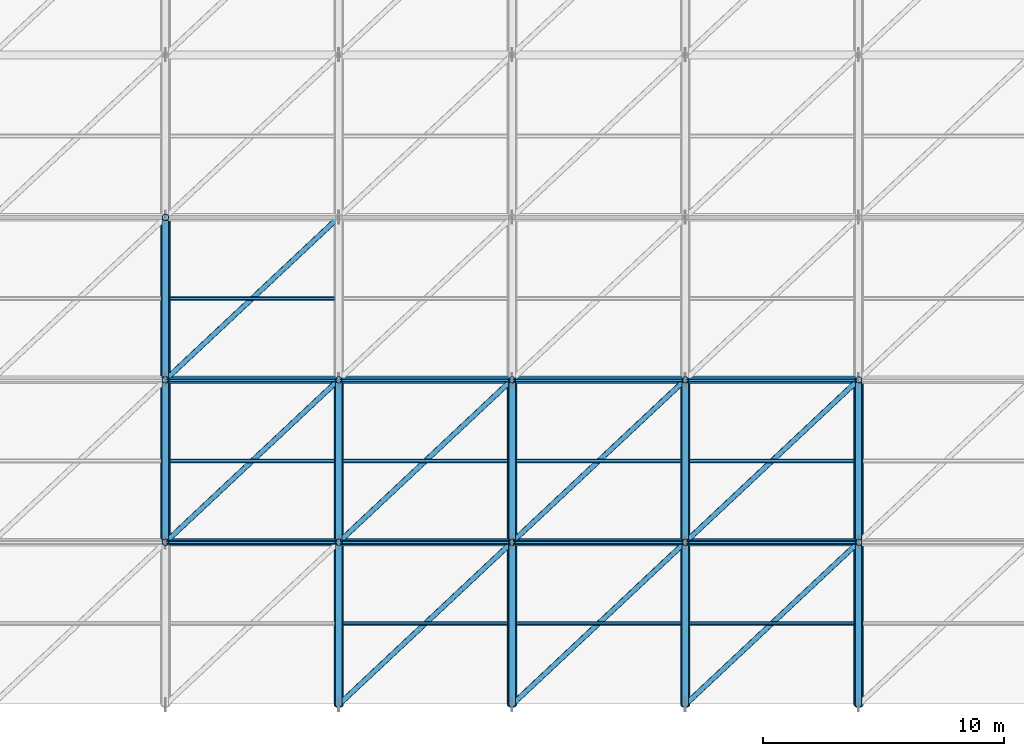
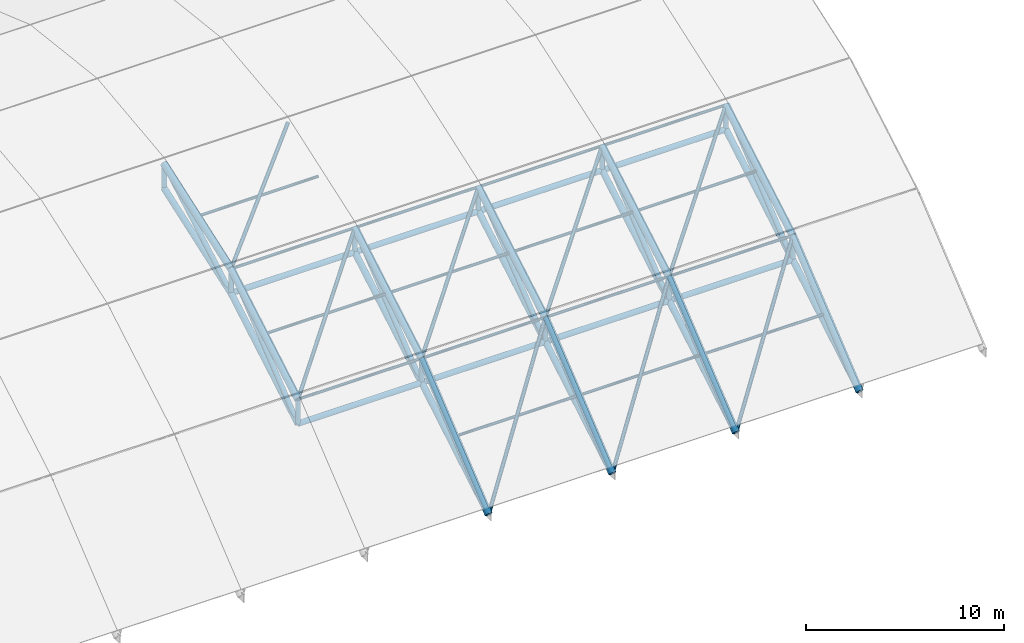
# One storey, part 8 of 72: 63 members, 10 beams.
"""IFC4 building model written with IfcOpenShell, lengths in metres."""

import ifcopenshell
import ifcopenshell.guid

model = None  # the IFC model being written
_history = None  # IfcOwnerHistory: only IFC2X3 demands one
_inside = {}  # id of a spatial element -> (the spatial element, [elements in it])
_under = {}  # id of a project, library or spatial element -> (it, [spatial elements below it])
_declared = {}  # id of a project -> (the project, [libraries it declares])
_typed = {}  # id of a type object -> (the type object, [elements of that type])
_made_of = {}  # id of a material, layer set ... -> (it, [elements and type objects made of it])


def new_model(schema):
    """Start an empty IFC model of exactly this schema.

    Asked for "IFC4X3", IfcOpenShell would pick the latest addendum, in which some entities
    have other attributes; the version numbers below select the first issue.
    IFC2X3 requires an IfcOwnerHistory on every rooted entity: one is made here for all.
    """
    global model, _history
    if schema == "IFC4X3":
        model = ifcopenshell.file(schema_version=(4, 3, 0, 0))
    else:
        model = ifcopenshell.file(schema=schema)
    _inside.clear()
    _under.clear()
    _declared.clear()
    _typed.clear()
    _made_of.clear()
    _history = None
    if model.schema == "IFC2X3":
        org = make("IfcOrganization", Name="unknown")
        user = make(
            "IfcPersonAndOrganization",
            ThePerson=make("IfcPerson", FamilyName="unknown"),
            TheOrganization=org,
        )
        app = make(
            "IfcApplication",
            ApplicationDeveloper=org,
            Version="unknown",
            ApplicationFullName="unknown",
            ApplicationIdentifier="unknown",
        )
        _history = make(
            "IfcOwnerHistory",
            OwningUser=user,
            OwningApplication=app,
            ChangeAction="ADDED",
            CreationDate=0,
        )
    return model


def make(cls, **values):
    """One entity of the class cls with the attributes given. An attribute that is None is left unset."""
    return model.create_entity(
        cls, **{name: value for name, value in values.items() if value is not None}
    )


def rooted(cls, **values):
    """An entity with a GlobalId (a new one), such as an element, a storey or a relation."""
    return make(cls, GlobalId=ifcopenshell.guid.new(), OwnerHistory=_history, **values)


def si_unit(unit_type, name, prefix=None):
    """IfcSIUnit, for example si_unit("LENGTHUNIT", "METRE", prefix="MILLI")."""
    return make("IfcSIUnit", UnitType=unit_type, Prefix=prefix, Name=name)


def assignment(units):
    """IfcUnitAssignment: the units of a project."""
    return None if units is None else make("IfcUnitAssignment", Units=units)


def point(xyz):
    """IfcCartesianPoint."""
    return None if xyz is None else make("IfcCartesianPoint", Coordinates=xyz)


def direction(xyz):
    """IfcDirection."""
    return None if xyz is None else make("IfcDirection", DirectionRatios=xyz)


def frame(location, z_axis=None, x_axis=None):
    """IfcAxis2Placement3D, a coordinate frame: its origin and axes. An axis left out is left unset."""
    return make(
        "IfcAxis2Placement3D",
        Location=point(location),
        Axis=direction(z_axis),
        RefDirection=direction(x_axis),
    )


def frame_2d(location, x_axis=None):
    """IfcAxis2Placement2D, a coordinate frame in the plane: its origin and x axis."""
    return make(
        "IfcAxis2Placement2D", Location=point(location), RefDirection=direction(x_axis)
    )


def origin():
    """The frame at (0, 0, 0) with its axes left unset."""
    return frame((0.0, 0.0, 0.0))


def origin_2d():
    """The frame at (0, 0) in the plane with its x axis left unset."""
    return frame_2d((0.0, 0.0))


def place(relative_to, where):
    """IfcLocalPlacement: puts the frame where relative to a parent placement (None: the world)."""
    return make(
        "IfcLocalPlacement", PlacementRelTo=relative_to, RelativePlacement=where
    )


def context(
    kind, dimensions, precision=None, world=None, true_north=None, identifier=None
):
    """IfcGeometricRepresentationContext, for example the 3D "Model" context."""
    return make(
        "IfcGeometricRepresentationContext",
        ContextIdentifier=identifier,
        ContextType=kind,
        CoordinateSpaceDimension=dimensions,
        Precision=precision,
        WorldCoordinateSystem=world,
        TrueNorth=true_north,
    )


def subcontext(parent, identifier, kind, view, scale=None):
    """IfcGeometricRepresentationSubContext, for example "Body" below "Model"."""
    return make(
        "IfcGeometricRepresentationSubContext",
        ContextIdentifier=identifier,
        ContextType=kind,
        ParentContext=parent,
        TargetScale=scale,
        TargetView=view,
    )


def project(units=None, contexts=None):
    """IfcProject with its units and contexts."""
    return rooted(
        "IfcProject",
        Name="project",
        RepresentationContexts=contexts,
        UnitsInContext=assignment(units),
    )


def spatial(cls, under=None, at=None, **own):
    """A site, building, storey or space (cls), placed at a placement, below another one or the project."""
    s = rooted(cls, ObjectPlacement=at, **own)
    if under is not None:
        _under.setdefault(under.id(), (under, []))[1].append(s)
    return s


def profile(cls, at=None, kind="AREA", **sizes):
    """A parametric profile (cls). Its sizes go by their IFC names, for example OverallWidth=200.0."""
    return make(cls, ProfileType=kind, Position=at, **sizes)


def hollow_circle(**sizes):
    """IfcCircleHollowProfileDef."""
    return profile("IfcCircleHollowProfileDef", **sizes)


def extrude(swept, where, along, depth):
    """IfcExtrudedAreaSolid: the profile swept, set in the frame where, extruded along a direction by depth."""
    return make(
        "IfcExtrudedAreaSolid",
        SweptArea=swept,
        Position=where,
        ExtrudedDirection=direction(along),
        Depth=depth,
    )


def shape(context_of_items, identifier, shape_type, items):
    """IfcShapeRepresentation: the items that make up one representation, for example the "Body"."""
    return make(
        "IfcShapeRepresentation",
        ContextOfItems=context_of_items,
        RepresentationIdentifier=identifier,
        RepresentationType=shape_type,
        Items=items,
    )


def material(Name=None, Category=None):
    """IfcMaterial."""
    return make("IfcMaterial", Name=Name, Category=Category)


def material_profile(
    of_material, cross_section, Name=None, Category=None, Priority=None
):
    """IfcMaterialProfile: a cross section and its material."""
    return make(
        "IfcMaterialProfile",
        Name=Name,
        Material=of_material,
        Profile=cross_section,
        Priority=Priority,
        Category=Category,
    )


def profile_set(profiles, Name=None, composite=None):
    """IfcMaterialProfileSet."""
    return make(
        "IfcMaterialProfileSet",
        Name=Name,
        MaterialProfiles=profiles,
        CompositeProfile=composite,
    )


def made_of(thing, what):
    """Note that an element or type object is made of a material, layer set ...; save() writes the relation."""
    if what is not None:
        _made_of.setdefault(what.id(), (what, []))[1].append(thing)
    return thing


def type_object(cls, material=None, **own):
    """A type object (cls), such as IfcWallType, which elements share."""
    return made_of(rooted(cls, **own), material)


def element(
    cls,
    number,
    at=None,
    inside=None,
    cuts=None,
    type_object=None,
    material=None,
    context=None,
    identifier="Body",
    shape_type=None,
    held_by="IfcProductDefinitionShape",
    body=None,
    shapes=None,
    **own,
):
    """One element of the class cls, such as IfcWall. Its Tag is "e" and its number.

    at: its placement. inside: the storey or other place that contains it. cuts: it is an
    opening in that element (IfcRelVoidsElement). A single representation is given by context,
    identifier, shape_type and body (its items); several are given by shapes. held_by: the class
    of the entity that holds the representations. save() writes the other relations.
    """
    e = rooted(cls, Tag="e%d" % number, ObjectPlacement=at, **own)
    if body is not None:
        shapes = [shape(context, identifier, shape_type, body)]
    if shapes is not None:
        e.Representation = make(held_by, Representations=shapes)
    if inside is not None:
        _inside.setdefault(inside.id(), (inside, []))[1].append(e)
    if cuts is not None:
        rooted(
            "IfcRelVoidsElement", RelatingBuildingElement=cuts, RelatedOpeningElement=e
        )
    if type_object is not None:
        _typed.setdefault(type_object.id(), (type_object, []))[1].append(e)
    return made_of(e, material)


def aggregate(whole, parts):
    """IfcRelAggregates: a whole, such as a stair, and the parts it consists of."""
    return rooted("IfcRelAggregates", RelatingObject=whole, RelatedObjects=parts)


def save(model, path):
    """Write the relations noted so far, then the file.

    IfcRelAggregates (storeys below a building ...), IfcRelContainedInSpatialStructure (elements
    in a storey), IfcRelDefinesByType, IfcRelAssociatesMaterial and IfcRelDeclares: one each for
    every whole, place, type object, material and project.
    """
    for whole, parts in _under.values():
        aggregate(whole, parts)
    for where, things in _inside.values():
        rooted(
            "IfcRelContainedInSpatialStructure",
            RelatedElements=things,
            RelatingStructure=where,
        )
    for kind, things in _typed.values():
        rooted("IfcRelDefinesByType", RelatedObjects=things, RelatingType=kind)
    for what, things in _made_of.values():
        rooted("IfcRelAssociatesMaterial", RelatedObjects=things, RelatingMaterial=what)
    for by, libraries in _declared.values():
        rooted("IfcRelDeclares", RelatingContext=by, RelatedDefinitions=libraries)
    model.write(path)


model = new_model("IFC4")

# Units and contexts
model_context = context("Model", 3, precision=1e-05, world=origin(), true_north=direction((0.0, 1.0)))
body_context = subcontext(model_context, "Body", "Model", "MODEL_VIEW")
ifc_project = project(units=[si_unit("LENGTHUNIT", "METRE"), si_unit("AREAUNIT", "SQUARE_METRE"), si_unit("VOLUMEUNIT", "CUBIC_METRE"), si_unit("PLANEANGLEUNIT", "RADIAN"), si_unit("MASSUNIT", "GRAM", prefix="KILO")], contexts=[model_context])

# Site, building, storey
site_placement = place(None, origin())
site = spatial("IfcSite", under=ifc_project, at=site_placement, CompositionType="ELEMENT")
building_placement = place(site_placement, origin())
building = spatial("IfcBuilding", under=site, at=building_placement, Name="Vaelcorin Mobility Hub", CompositionType="ELEMENT")
storey_placement = place(building_placement, frame((0.0, 0.0, 25.800048828125)))
storey = spatial("IfcBuildingStorey", under=building, at=storey_placement, Name="RF", CompositionType="ELEMENT", Elevation=25.800048828125)

# Members
ifc_material = material(Name="Steel ASTM A500 Grade C", Category="steel")
ifc_material_profile_1 = material_profile(ifc_material, hollow_circle(Radius=0.161865234375, WallThickness=0.0126953125, at=origin_2d()), Name="HSS12.750X0.500")
ifc_profile_set_1 = profile_set([ifc_material_profile_1], Name="Steel ASTM A500 Grade C")
member_type_1 = type_object("IfcMemberType", Name="SF-CHORD-12", PredefinedType="CHORD", material=ifc_profile_set_1)
for number, where, z_axis, x_axis, name in (
    (1, (72.0, 12.75, -15.7880859375), (1.0, 0.0, 0.0), (0.0, 1.0, 0.0), "Space Frame Lower Longitudinal Chord 6-1"),
    (2, (72.0, 19.5, -11.85009765625), (1.0, 0.0, 0.0), (0.0, 1.0, 0.0), "Space Frame Lower Longitudinal Chord 6-2"),
    (3, (79.199951171875, 12.75, -15.7880859375), (1.0, 0.0, 0.0), (0.0, 1.0, 0.0), "Space Frame Lower Longitudinal Chord 7-1"),
    (4, (79.199951171875, 19.5, -11.85009765625), (1.0, 0.0, 0.0), (0.0, 1.0, 0.0), "Space Frame Lower Longitudinal Chord 7-2"),
):
    element("IfcMember", number, at=place(storey_placement, frame(where, z_axis=z_axis, x_axis=x_axis)), inside=storey, type_object=member_type_1, Name=name, PredefinedType="CHORD", context=body_context, shape_type="SweptSolid", body=[
        extrude(hollow_circle(Radius=0.161865234375, WallThickness=0.0126953125, at=origin_2d()), origin(), (0.0, 0.0, 1.0), 7.199951171875),
    ])
for number, where, z_axis, x_axis, name in (
    (5, (86.39990234375, 12.75, -15.7880859375), (1.0, 0.0, 0.0), (0.0, 1.0, 0.0), "Space Frame Lower Longitudinal Chord 8-1"),
    (6, (86.39990234375, 19.5, -11.85009765625), (1.0, 0.0, 0.0), (0.0, 1.0, 0.0), "Space Frame Lower Longitudinal Chord 8-2"),
):
    element("IfcMember", number, at=place(storey_placement, frame(where, z_axis=z_axis, x_axis=x_axis)), inside=storey, type_object=member_type_1, Name=name, PredefinedType="CHORD", context=body_context, shape_type="SweptSolid", body=[
        extrude(hollow_circle(Radius=0.161865234375, WallThickness=0.0126953125, at=origin_2d()), origin(), (0.0, 0.0, 1.0), 7.2001953125),
    ])
for number, where, z_axis, x_axis, name in (
    (7, (93.60009765625, 12.75, -15.7880859375), (1.0, 0.0, 0.0), (0.0, 1.0, 0.0), "Space Frame Lower Longitudinal Chord 9-1"),
    (8, (93.60009765625, 19.5, -11.85009765625), (1.0, 0.0, 0.0), (0.0, 1.0, 0.0), "Space Frame Lower Longitudinal Chord 9-2"),
):
    element("IfcMember", number, at=place(storey_placement, frame(where, z_axis=z_axis, x_axis=x_axis)), inside=storey, type_object=member_type_1, Name=name, PredefinedType="CHORD", context=body_context, shape_type="SweptSolid", body=[
        extrude(hollow_circle(Radius=0.161865234375, WallThickness=0.0126953125, at=origin_2d()), origin(), (0.0, 0.0, 1.0), 7.199951171875),
    ])
ifc_material_profile_2 = material_profile(ifc_material, hollow_circle(Radius=0.177734375, WallThickness=0.0126953125, at=origin_2d()), Name="HSS14.000X0.500")
ifc_profile_set_2 = profile_set([ifc_material_profile_2], Name="Steel ASTM A500 Grade C")
member_type_2 = type_object("IfcMemberType", Name="SF-CHORD-14", PredefinedType="CHORD", material=ifc_profile_set_2)
member_1_placement = place(storey_placement, frame((72.0, 12.75, -15.7880859375), z_axis=(0.0, 0.863751705385, 0.503917643514), x_axis=(-1.0, 0.0, 0.0)))
element("IfcMember", 9, at=member_1_placement, inside=storey, type_object=member_type_2, Name="Space Frame Roof Truss Lower Chord 6-2", PredefinedType="CHORD", context=body_context, shape_type="SweptSolid", body=[
    extrude(hollow_circle(Radius=0.177734375, WallThickness=0.0126953125, at=origin_2d()), origin(), (0.0, 0.0, 1.0), 7.814697265625),
])
member_2_placement = place(storey_placement, frame((72.0, 19.5, -11.85009765625), z_axis=(0.0, 0.943877515247, 0.330295679977), x_axis=(-1.0, 0.0, 0.0)))
element("IfcMember", 10, at=member_2_placement, inside=storey, type_object=member_type_2, Name="Space Frame Roof Truss Lower Chord 6-3", PredefinedType="CHORD", context=body_context, shape_type="SweptSolid", body=[
    extrude(hollow_circle(Radius=0.177734375, WallThickness=0.0126953125, at=origin_2d()), origin(), (0.0, 0.0, 1.0), 7.1513671875),
])
member_3_placement = place(storey_placement, frame((79.199951171875, 6.0, -19.800048828125), z_axis=(0.0, 0.859622623593, 0.510929491229), x_axis=(-1.0, 0.0, 0.0)))
element("IfcMember", 11, at=member_3_placement, inside=storey, type_object=member_type_2, Name="Space Frame Roof Truss Lower Chord 7-1", PredefinedType="CHORD", context=body_context, shape_type="SweptSolid", body=[
    extrude(hollow_circle(Radius=0.177734375, WallThickness=0.0126953125, at=origin_2d()), origin(), (0.0, 0.0, 1.0), 7.852294921875),
])
member_4_placement = place(storey_placement, frame((79.199951171875, 12.75, -15.7880859375), z_axis=(0.0, 0.863751705385, 0.503917643514), x_axis=(-1.0, 0.0, 0.0)))
element("IfcMember", 12, at=member_4_placement, inside=storey, type_object=member_type_2, Name="Space Frame Roof Truss Lower Chord 7-2", PredefinedType="CHORD", context=body_context, shape_type="SweptSolid", body=[
    extrude(hollow_circle(Radius=0.177734375, WallThickness=0.0126953125, at=origin_2d()), origin(), (0.0, 0.0, 1.0), 7.814697265625),
])
member_5_placement = place(storey_placement, frame((86.39990234375, 6.0, -19.800048828125), z_axis=(0.0, 0.859622623593, 0.510929491229), x_axis=(-1.0, 0.0, 0.0)))
element("IfcMember", 13, at=member_5_placement, inside=storey, type_object=member_type_2, Name="Space Frame Roof Truss Lower Chord 8-1", PredefinedType="CHORD", context=body_context, shape_type="SweptSolid", body=[
    extrude(hollow_circle(Radius=0.177734375, WallThickness=0.0126953125, at=origin_2d()), origin(), (0.0, 0.0, 1.0), 7.852294921875),
])
member_6_placement = place(storey_placement, frame((86.39990234375, 12.75, -15.7880859375), z_axis=(0.0, 0.863751705385, 0.503917643514), x_axis=(-1.0, 0.0, 0.0)))
element("IfcMember", 14, at=member_6_placement, inside=storey, type_object=member_type_2, Name="Space Frame Roof Truss Lower Chord 8-2", PredefinedType="CHORD", context=body_context, shape_type="SweptSolid", body=[
    extrude(hollow_circle(Radius=0.177734375, WallThickness=0.0126953125, at=origin_2d()), origin(), (0.0, 0.0, 1.0), 7.814697265625),
])
member_7_placement = place(storey_placement, frame((93.60009765625, 6.0, -19.800048828125), z_axis=(0.0, 0.859622623593, 0.510929491229), x_axis=(-1.0, 0.0, 0.0)))
element("IfcMember", 15, at=member_7_placement, inside=storey, type_object=member_type_2, Name="Space Frame Roof Truss Lower Chord 9-1", PredefinedType="CHORD", context=body_context, shape_type="SweptSolid", body=[
    extrude(hollow_circle(Radius=0.177734375, WallThickness=0.0126953125, at=origin_2d()), origin(), (0.0, 0.0, 1.0), 7.852294921875),
])
member_8_placement = place(storey_placement, frame((93.60009765625, 12.75, -15.7880859375), z_axis=(0.0, 0.863751705385, 0.503917643514), x_axis=(-1.0, 0.0, 0.0)))
element("IfcMember", 16, at=member_8_placement, inside=storey, type_object=member_type_2, Name="Space Frame Roof Truss Lower Chord 9-2", PredefinedType="CHORD", context=body_context, shape_type="SweptSolid", body=[
    extrude(hollow_circle(Radius=0.177734375, WallThickness=0.0126953125, at=origin_2d()), origin(), (0.0, 0.0, 1.0), 7.814697265625),
])
member_9_placement = place(storey_placement, frame((100.800048828125, 6.0, -19.800048828125), z_axis=(0.0, 0.859622623593, 0.510929491229), x_axis=(-1.0, 0.0, 0.0)))
element("IfcMember", 17, at=member_9_placement, inside=storey, type_object=member_type_2, Name="Space Frame Roof Truss Lower Chord 10-1", PredefinedType="CHORD", context=body_context, shape_type="SweptSolid", body=[
    extrude(hollow_circle(Radius=0.177734375, WallThickness=0.0126953125, at=origin_2d()), origin(), (0.0, 0.0, 1.0), 7.852294921875),
])
member_10_placement = place(storey_placement, frame((100.800048828125, 12.75, -15.7880859375), z_axis=(0.0, 0.863751705385, 0.503917643514), x_axis=(-1.0, 0.0, 0.0)))
element("IfcMember", 18, at=member_10_placement, inside=storey, type_object=member_type_2, Name="Space Frame Roof Truss Lower Chord 10-2", PredefinedType="CHORD", context=body_context, shape_type="SweptSolid", body=[
    extrude(hollow_circle(Radius=0.177734375, WallThickness=0.0126953125, at=origin_2d()), origin(), (0.0, 0.0, 1.0), 7.814697265625),
])
ifc_material_profile_3 = material_profile(ifc_material, hollow_circle(Radius=0.136474609375, WallThickness=0.0126953125, at=origin_2d()), Name="HSS10.750X0.500")
ifc_profile_set_3 = profile_set([ifc_material_profile_3], Name="Steel ASTM A500 Grade C")
member_type_3 = type_object("IfcMemberType", Name="SF-DIAG-10", PredefinedType="BRACE", material=ifc_profile_set_3)
member_11_placement = place(storey_placement, frame((72.0, 12.75, -15.7880859375), z_axis=(0.0, 0.778726388415, 0.627363699926), x_axis=(-1.0, 0.0, 0.0)))
element("IfcMember", 19, at=member_11_placement, inside=storey, type_object=member_type_3, Name="Space Frame Roof Truss Web Diagonal 6-2", PredefinedType="BRACE", context=body_context, shape_type="SweptSolid", body=[
    extrude(hollow_circle(Radius=0.136474609375, WallThickness=0.0126953125, at=origin_2d()), origin(), (0.0, 0.0, 1.0), 8.66796875),
])
member_12_placement = place(storey_placement, frame((72.0, 19.5, -11.85009765625), z_axis=(0.0, 0.867970611296, 0.496615563516), x_axis=(-1.0, 0.0, 0.0)))
element("IfcMember", 20, at=member_12_placement, inside=storey, type_object=member_type_3, Name="Space Frame Roof Truss Web Diagonal 6-3", PredefinedType="BRACE", context=body_context, shape_type="SweptSolid", body=[
    extrude(hollow_circle(Radius=0.136474609375, WallThickness=0.0126953125, at=origin_2d()), origin(), (0.0, 0.0, 1.0), 7.77685546875),
])
member_13_placement = place(storey_placement, frame((79.199951171875, 6.0, -19.800048828125), z_axis=(0.0, 0.774562321982, 0.632497596332), x_axis=(-1.0, 0.0, 0.0)))
element("IfcMember", 21, at=member_13_placement, inside=storey, type_object=member_type_3, Name="Space Frame Roof Truss Web Diagonal 7-1", PredefinedType="BRACE", context=body_context, shape_type="SweptSolid", body=[
    extrude(hollow_circle(Radius=0.136474609375, WallThickness=0.0126953125, at=origin_2d()), origin(), (0.0, 0.0, 1.0), 8.714599609375),
])
member_14_placement = place(storey_placement, frame((79.199951171875, 12.75, -15.7880859375), z_axis=(0.0, 0.778726388415, 0.627363699926), x_axis=(-1.0, 0.0, 0.0)))
element("IfcMember", 22, at=member_14_placement, inside=storey, type_object=member_type_3, Name="Space Frame Roof Truss Web Diagonal 7-2", PredefinedType="BRACE", context=body_context, shape_type="SweptSolid", body=[
    extrude(hollow_circle(Radius=0.136474609375, WallThickness=0.0126953125, at=origin_2d()), origin(), (0.0, 0.0, 1.0), 8.66796875),
])
member_15_placement = place(storey_placement, frame((86.39990234375, 6.0, -19.800048828125), z_axis=(0.0, 0.774562321982, 0.632497596332), x_axis=(-1.0, 0.0, 0.0)))
element("IfcMember", 23, at=member_15_placement, inside=storey, type_object=member_type_3, Name="Space Frame Roof Truss Web Diagonal 8-1", PredefinedType="BRACE", context=body_context, shape_type="SweptSolid", body=[
    extrude(hollow_circle(Radius=0.136474609375, WallThickness=0.0126953125, at=origin_2d()), origin(), (0.0, 0.0, 1.0), 8.714599609375),
])
member_16_placement = place(storey_placement, frame((86.39990234375, 12.75, -15.7880859375), z_axis=(0.0, 0.778726388415, 0.627363699926), x_axis=(-1.0, 0.0, 0.0)))
element("IfcMember", 24, at=member_16_placement, inside=storey, type_object=member_type_3, Name="Space Frame Roof Truss Web Diagonal 8-2", PredefinedType="BRACE", context=body_context, shape_type="SweptSolid", body=[
    extrude(hollow_circle(Radius=0.136474609375, WallThickness=0.0126953125, at=origin_2d()), origin(), (0.0, 0.0, 1.0), 8.66796875),
])
member_17_placement = place(storey_placement, frame((93.60009765625, 6.0, -19.800048828125), z_axis=(0.0, 0.774562321982, 0.632497596332), x_axis=(-1.0, 0.0, 0.0)))
element("IfcMember", 25, at=member_17_placement, inside=storey, type_object=member_type_3, Name="Space Frame Roof Truss Web Diagonal 9-1", PredefinedType="BRACE", context=body_context, shape_type="SweptSolid", body=[
    extrude(hollow_circle(Radius=0.136474609375, WallThickness=0.0126953125, at=origin_2d()), origin(), (0.0, 0.0, 1.0), 8.714599609375),
])
member_18_placement = place(storey_placement, frame((93.60009765625, 12.75, -15.7880859375), z_axis=(0.0, 0.778726388415, 0.627363699926), x_axis=(-1.0, 0.0, 0.0)))
element("IfcMember", 26, at=member_18_placement, inside=storey, type_object=member_type_3, Name="Space Frame Roof Truss Web Diagonal 9-2", PredefinedType="BRACE", context=body_context, shape_type="SweptSolid", body=[
    extrude(hollow_circle(Radius=0.136474609375, WallThickness=0.0126953125, at=origin_2d()), origin(), (0.0, 0.0, 1.0), 8.66796875),
])
member_19_placement = place(storey_placement, frame((100.800048828125, 6.0, -19.800048828125), z_axis=(0.0, 0.774562321982, 0.632497596332), x_axis=(-1.0, 0.0, 0.0)))
element("IfcMember", 27, at=member_19_placement, inside=storey, type_object=member_type_3, Name="Space Frame Roof Truss Web Diagonal 10-1", PredefinedType="BRACE", context=body_context, shape_type="SweptSolid", body=[
    extrude(hollow_circle(Radius=0.136474609375, WallThickness=0.0126953125, at=origin_2d()), origin(), (0.0, 0.0, 1.0), 8.714599609375),
])
member_20_placement = place(storey_placement, frame((100.800048828125, 12.75, -15.7880859375), z_axis=(0.0, 0.778726388415, 0.627363699926), x_axis=(-1.0, 0.0, 0.0)))
element("IfcMember", 28, at=member_20_placement, inside=storey, type_object=member_type_3, Name="Space Frame Roof Truss Web Diagonal 10-2", PredefinedType="BRACE", context=body_context, shape_type="SweptSolid", body=[
    extrude(hollow_circle(Radius=0.136474609375, WallThickness=0.0126953125, at=origin_2d()), origin(), (0.0, 0.0, 1.0), 8.66796875),
])
ifc_material_profile_4 = material_profile(ifc_material, hollow_circle(Radius=0.109619140625, WallThickness=0.009521484375, at=origin_2d()), Name="HSS8.625X0.375")
ifc_profile_set_4 = profile_set([ifc_material_profile_4], Name="Steel ASTM A500 Grade C")
member_type_4 = type_object("IfcMemberType", Name="SF-DIAG-8", PredefinedType="BRACE", material=ifc_profile_set_4)
member_21_placement = place(storey_placement, frame((72.0, 12.75, -14.2880859375), z_axis=(0.677585674596, 0.635240877937, 0.370603130828), x_axis=(-0.683943597489, 0.729534889813, 0.0)))
element("IfcMember", 29, at=member_21_placement, inside=storey, type_object=member_type_4, Name="Space Frame Bracing Diagonal 6-2", PredefinedType="BRACE", context=body_context, shape_type="SweptSolid", body=[
    extrude(hollow_circle(Radius=0.109619140625, WallThickness=0.009521484375, at=origin_2d()), origin(), (0.0, 0.0, 1.0), 10.6259765625),
])
member_22_placement = place(storey_placement, frame((72.0, 19.5, -10.35009765625), z_axis=(0.709497274068, 0.665158205331, 0.232762067295), x_axis=(-0.683943597489, 0.729534889813, 0.0)))
element("IfcMember", 30, at=member_22_placement, inside=storey, type_object=member_type_4, Name="Space Frame Bracing Diagonal 6-3", PredefinedType="BRACE", context=body_context, shape_type="SweptSolid", body=[
    extrude(hollow_circle(Radius=0.109619140625, WallThickness=0.009521484375, at=origin_2d()), origin(), (0.0, 0.0, 1.0), 10.14794921875),
])
member_23_placement = place(storey_placement, frame((79.199951171875, 6.0, -19.800048828125), z_axis=(0.636930590236, 0.59712647787, 0.487605775856), x_axis=(-0.683943597489, 0.729534889813, 0.0)))
element("IfcMember", 31, at=member_23_placement, inside=storey, type_object=member_type_4, Name="Space Frame Bracing Diagonal 7-1", PredefinedType="BRACE", context=body_context, shape_type="SweptSolid", body=[
    extrude(hollow_circle(Radius=0.109619140625, WallThickness=0.009521484375, at=origin_2d()), origin(), (0.0, 0.0, 1.0), 11.30419921875),
])
member_24_placement = place(storey_placement, frame((79.199951171875, 12.75, -14.2880859375), z_axis=(0.677585674596, 0.635240877937, 0.370603130828), x_axis=(-0.683943597489, 0.729534889813, 0.0)))
element("IfcMember", 32, at=member_24_placement, inside=storey, type_object=member_type_4, Name="Space Frame Bracing Diagonal 7-2", PredefinedType="BRACE", context=body_context, shape_type="SweptSolid", body=[
    extrude(hollow_circle(Radius=0.109619140625, WallThickness=0.009521484375, at=origin_2d()), origin(), (0.0, 0.0, 1.0), 10.6259765625),
])
member_25_placement = place(storey_placement, frame((86.39990234375, 6.0, -19.800048828125), z_axis=(0.636943425759, 0.59711826378, 0.487599068336), x_axis=(-0.683931254551, 0.729546461199, 0.0)))
element("IfcMember", 33, at=member_25_placement, inside=storey, type_object=member_type_4, Name="Space Frame Bracing Diagonal 8-1", PredefinedType="BRACE", context=body_context, shape_type="SweptSolid", body=[
    extrude(hollow_circle(Radius=0.109619140625, WallThickness=0.009521484375, at=origin_2d()), origin(), (0.0, 0.0, 1.0), 11.30419921875),
])
member_26_placement = place(storey_placement, frame((86.39990234375, 12.75, -14.2880859375), z_axis=(0.67759810152, 0.635230988431, 0.370597361234), x_axis=(-0.683931254551, 0.729546461199, 0.0)))
element("IfcMember", 34, at=member_26_placement, inside=storey, type_object=member_type_4, Name="Space Frame Bracing Diagonal 8-2", PredefinedType="BRACE", context=body_context, shape_type="SweptSolid", body=[
    extrude(hollow_circle(Radius=0.109619140625, WallThickness=0.009521484375, at=origin_2d()), origin(), (0.0, 0.0, 1.0), 10.6259765625),
])
member_27_placement = place(storey_placement, frame((93.60009765625, 6.0, -19.800048828125), z_axis=(0.636930590236, 0.59712647787, 0.487605775856), x_axis=(-0.683943597489, 0.729534889813, 0.0)))
element("IfcMember", 35, at=member_27_placement, inside=storey, type_object=member_type_4, Name="Space Frame Bracing Diagonal 9-1", PredefinedType="BRACE", context=body_context, shape_type="SweptSolid", body=[
    extrude(hollow_circle(Radius=0.109619140625, WallThickness=0.009521484375, at=origin_2d()), origin(), (0.0, 0.0, 1.0), 11.30419921875),
])
member_28_placement = place(storey_placement, frame((93.60009765625, 12.75, -14.2880859375), z_axis=(0.677585674596, 0.635240877937, 0.370603130828), x_axis=(-0.683943597489, 0.729534889813, 0.0)))
element("IfcMember", 36, at=member_28_placement, inside=storey, type_object=member_type_4, Name="Space Frame Bracing Diagonal 9-2", PredefinedType="BRACE", context=body_context, shape_type="SweptSolid", body=[
    extrude(hollow_circle(Radius=0.109619140625, WallThickness=0.009521484375, at=origin_2d()), origin(), (0.0, 0.0, 1.0), 10.6259765625),
])
ifc_material_profile_5 = material_profile(ifc_material, hollow_circle(Radius=0.136474609375, WallThickness=0.0126953125, at=origin_2d()), Name="HSS10.750X0.500")
ifc_profile_set_5 = profile_set([ifc_material_profile_5], Name="Steel ASTM A500 Grade C")
member_type_5 = type_object("IfcMemberType", Name="SF-POST-10", PredefinedType="POST", material=ifc_profile_set_5)
for number, where, z_axis, x_axis, name in (
    (37, (72.0, 12.75, -15.7880859375), (0.0, 0.0, 1.0), (1.0, 0.0, 0.0), "Space Frame Roof Truss Post 6-1"),
    (38, (72.0, 19.5, -11.85009765625), (0.0, 0.0, 1.0), (1.0, 0.0, 0.0), "Space Frame Roof Truss Post 6-2"),
    (39, (72.0, 26.25, -9.488037109375), (0.0, 0.0, 1.0), (1.0, 0.0, 0.0), "Space Frame Roof Truss Post 6-3"),
    (40, (79.199951171875, 12.75, -15.7880859375), (0.0, 0.0, 1.0), (1.0, 0.0, 0.0), "Space Frame Roof Truss Post 7-1"),
    (41, (79.199951171875, 19.5, -11.85009765625), (0.0, 0.0, 1.0), (1.0, 0.0, 0.0), "Space Frame Roof Truss Post 7-2"),
    (42, (86.39990234375, 12.75, -15.7880859375), (0.0, 0.0, 1.0), (1.0, 0.0, 0.0), "Space Frame Roof Truss Post 8-1"),
    (43, (86.39990234375, 19.5, -11.85009765625), (0.0, 0.0, 1.0), (1.0, 0.0, 0.0), "Space Frame Roof Truss Post 8-2"),
    (44, (93.60009765625, 12.75, -15.7880859375), (0.0, 0.0, 1.0), (1.0, 0.0, 0.0), "Space Frame Roof Truss Post 9-1"),
    (45, (93.60009765625, 19.5, -11.85009765625), (0.0, 0.0, 1.0), (1.0, 0.0, 0.0), "Space Frame Roof Truss Post 9-2"),
    (46, (100.800048828125, 12.75, -15.7880859375), (0.0, 0.0, 1.0), (1.0, 0.0, 0.0), "Space Frame Roof Truss Post 10-1"),
    (47, (100.800048828125, 19.5, -11.85009765625), (0.0, 0.0, 1.0), (1.0, 0.0, 0.0), "Space Frame Roof Truss Post 10-2"),
):
    element("IfcMember", number, at=place(storey_placement, frame(where, z_axis=z_axis, x_axis=x_axis)), inside=storey, type_object=member_type_5, Name=name, PredefinedType="POST", context=body_context, shape_type="SweptSolid", body=[
        extrude(hollow_circle(Radius=0.136474609375, WallThickness=0.0126953125, at=origin_2d()), origin(), (0.0, 0.0, 1.0), 1.5),
    ])
ifc_material_profile_6 = material_profile(ifc_material, hollow_circle(Radius=0.084228515625, WallThickness=0.0078125, at=origin_2d()), Name="HSS6.625X0.312")
ifc_profile_set_6 = profile_set([ifc_material_profile_6], Name="Steel ASTM A500 Grade C")
member_type_6 = type_object("IfcMemberType", Name="SF-PURL-6", PredefinedType="PURLIN", material=ifc_profile_set_6)
for number, where, z_axis, x_axis, name in (
    (48, (72.0, 12.75, -14.2880859375), (1.0, 0.0, 0.0), (0.0, 1.0, 0.0), "Space Frame Longitudinal Chord 6-1"),
    (49, (72.0, 19.5, -10.35009765625), (1.0, 0.0, 0.0), (0.0, 1.0, 0.0), "Space Frame Longitudinal Chord 6-2"),
):
    element("IfcMember", number, at=place(storey_placement, frame(where, z_axis=z_axis, x_axis=x_axis)), inside=storey, type_object=member_type_6, Name=name, PredefinedType="PURLIN", context=body_context, shape_type="SweptSolid", body=[
        extrude(hollow_circle(Radius=0.084228515625, WallThickness=0.0078125, at=origin_2d()), origin(), (0.0, 0.0, 1.0), 7.199951171875),
    ])
for number, where, z_axis, x_axis, name in (
    (50, (72.179931640625, 16.125, -12.319091796875), (1.0, 0.0, 0.0), (0.0, 1.0, 0.0), "Space Frame Secondary Purlin 6-2"),
    (51, (72.179931640625, 22.875, -9.1689453125), (1.0, 0.0, 0.0), (0.0, 1.0, 0.0), "Space Frame Secondary Purlin 6-3"),
):
    element("IfcMember", number, at=place(storey_placement, frame(where, z_axis=z_axis, x_axis=x_axis)), inside=storey, type_object=member_type_6, Name=name, PredefinedType="PURLIN", context=body_context, shape_type="SweptSolid", body=[
        extrude(hollow_circle(Radius=0.084228515625, WallThickness=0.0078125, at=origin_2d()), origin(), (0.0, 0.0, 1.0), 6.840087890625),
    ])
for number, where, z_axis, x_axis, name in (
    (52, (79.199951171875, 12.75, -14.2880859375), (1.0, 0.0, 0.0), (0.0, 1.0, 0.0), "Space Frame Longitudinal Chord 7-1"),
    (53, (79.199951171875, 19.5, -10.35009765625), (1.0, 0.0, 0.0), (0.0, 1.0, 0.0), "Space Frame Longitudinal Chord 7-2"),
):
    element("IfcMember", number, at=place(storey_placement, frame(where, z_axis=z_axis, x_axis=x_axis)), inside=storey, type_object=member_type_6, Name=name, PredefinedType="PURLIN", context=body_context, shape_type="SweptSolid", body=[
        extrude(hollow_circle(Radius=0.084228515625, WallThickness=0.0078125, at=origin_2d()), origin(), (0.0, 0.0, 1.0), 7.199951171875),
    ])
for number, where, z_axis, x_axis, name in (
    (54, (79.3798828125, 9.375, -17.0439453125), (1.0, 0.0, 0.0), (0.0, 1.0, 0.0), "Space Frame Secondary Purlin 7-1"),
    (55, (79.3798828125, 16.125, -12.319091796875), (1.0, 0.0, 0.0), (0.0, 1.0, 0.0), "Space Frame Secondary Purlin 7-2"),
):
    element("IfcMember", number, at=place(storey_placement, frame(where, z_axis=z_axis, x_axis=x_axis)), inside=storey, type_object=member_type_6, Name=name, PredefinedType="PURLIN", context=body_context, shape_type="SweptSolid", body=[
        extrude(hollow_circle(Radius=0.084228515625, WallThickness=0.0078125, at=origin_2d()), origin(), (0.0, 0.0, 1.0), 6.840087890625),
    ])
for number, where, z_axis, x_axis, name in (
    (56, (86.39990234375, 12.75, -14.2880859375), (1.0, 0.0, 0.0), (0.0, 1.0, 0.0), "Space Frame Longitudinal Chord 8-1"),
    (57, (86.39990234375, 19.5, -10.35009765625), (1.0, 0.0, 0.0), (0.0, 1.0, 0.0), "Space Frame Longitudinal Chord 8-2"),
):
    element("IfcMember", number, at=place(storey_placement, frame(where, z_axis=z_axis, x_axis=x_axis)), inside=storey, type_object=member_type_6, Name=name, PredefinedType="PURLIN", context=body_context, shape_type="SweptSolid", body=[
        extrude(hollow_circle(Radius=0.084228515625, WallThickness=0.0078125, at=origin_2d()), origin(), (0.0, 0.0, 1.0), 7.2001953125),
    ])
for number, where, z_axis, x_axis, name in (
    (58, (86.580078125, 9.375, -17.0439453125), (1.0, 0.0, 0.0), (0.0, 1.0, 0.0), "Space Frame Secondary Purlin 8-1"),
    (59, (86.580078125, 16.125, -12.319091796875), (1.0, 0.0, 0.0), (0.0, 1.0, 0.0), "Space Frame Secondary Purlin 8-2"),
):
    element("IfcMember", number, at=place(storey_placement, frame(where, z_axis=z_axis, x_axis=x_axis)), inside=storey, type_object=member_type_6, Name=name, PredefinedType="PURLIN", context=body_context, shape_type="SweptSolid", body=[
        extrude(hollow_circle(Radius=0.084228515625, WallThickness=0.0078125, at=origin_2d()), origin(), (0.0, 0.0, 1.0), 6.83984375),
    ])
for number, where, z_axis, x_axis, name in (
    (60, (93.60009765625, 12.75, -14.2880859375), (1.0, 0.0, 0.0), (0.0, 1.0, 0.0), "Space Frame Longitudinal Chord 9-1"),
    (61, (93.60009765625, 19.5, -10.35009765625), (1.0, 0.0, 0.0), (0.0, 1.0, 0.0), "Space Frame Longitudinal Chord 9-2"),
):
    element("IfcMember", number, at=place(storey_placement, frame(where, z_axis=z_axis, x_axis=x_axis)), inside=storey, type_object=member_type_6, Name=name, PredefinedType="PURLIN", context=body_context, shape_type="SweptSolid", body=[
        extrude(hollow_circle(Radius=0.084228515625, WallThickness=0.0078125, at=origin_2d()), origin(), (0.0, 0.0, 1.0), 7.199951171875),
    ])
for number, where, z_axis, x_axis, name in (
    (62, (93.780029296875, 9.375, -17.0439453125), (1.0, 0.0, 0.0), (0.0, 1.0, 0.0), "Space Frame Secondary Purlin 9-1"),
    (63, (93.780029296875, 16.125, -12.319091796875), (1.0, 0.0, 0.0), (0.0, 1.0, 0.0), "Space Frame Secondary Purlin 9-2"),
):
    element("IfcMember", number, at=place(storey_placement, frame(where, z_axis=z_axis, x_axis=x_axis)), inside=storey, type_object=member_type_6, Name=name, PredefinedType="PURLIN", context=body_context, shape_type="SweptSolid", body=[
        extrude(hollow_circle(Radius=0.084228515625, WallThickness=0.0078125, at=origin_2d()), origin(), (0.0, 0.0, 1.0), 6.840087890625),
    ])

# Beams
ifc_material_profile_7 = material_profile(ifc_material, hollow_circle(Radius=0.203125, WallThickness=0.015869140625, at=origin_2d()), Name="HSS16.000X0.625")
ifc_profile_set_7 = profile_set([ifc_material_profile_7], Name="Steel ASTM A500 Grade C")
beam_type = type_object("IfcBeamType", Name="TR-CHORD-16", PredefinedType="BEAM", material=ifc_profile_set_7)
beam_1_placement = place(storey_placement, frame((72.0, 12.75, -14.2880859375), z_axis=(0.0, 0.863751705385, 0.503917643514), x_axis=(-1.0, 0.0, 0.0)))
element("IfcBeam", 64, at=beam_1_placement, inside=storey, type_object=beam_type, Name="Space Frame Roof Truss Upper Chord 6-2", PredefinedType="BEAM", context=body_context, shape_type="SweptSolid", body=[
    extrude(hollow_circle(Radius=0.203125, WallThickness=0.015869140625, at=origin_2d()), origin(), (0.0, 0.0, 1.0), 7.814697265625),
])
beam_2_placement = place(storey_placement, frame((72.0, 19.5, -10.35009765625), z_axis=(0.0, 0.943877515247, 0.330295679977), x_axis=(-1.0, 0.0, 0.0)))
element("IfcBeam", 65, at=beam_2_placement, inside=storey, type_object=beam_type, Name="Space Frame Roof Truss Upper Chord 6-3", PredefinedType="BEAM", context=body_context, shape_type="SweptSolid", body=[
    extrude(hollow_circle(Radius=0.203125, WallThickness=0.015869140625, at=origin_2d()), origin(), (0.0, 0.0, 1.0), 7.1513671875),
])
beam_3_placement = place(storey_placement, frame((79.199951171875, 6.0, -19.800048828125), z_axis=(0.0, 0.774562321982, 0.632497596332), x_axis=(-1.0, 0.0, 0.0)))
element("IfcBeam", 66, at=beam_3_placement, inside=storey, type_object=beam_type, Name="Space Frame Roof Truss Upper Chord 7-1", PredefinedType="BEAM", context=body_context, shape_type="SweptSolid", body=[
    extrude(hollow_circle(Radius=0.203125, WallThickness=0.015869140625, at=origin_2d()), origin(), (0.0, 0.0, 1.0), 8.714599609375),
])
beam_4_placement = place(storey_placement, frame((79.199951171875, 12.75, -14.2880859375), z_axis=(0.0, 0.863751705385, 0.503917643514), x_axis=(-1.0, 0.0, 0.0)))
element("IfcBeam", 67, at=beam_4_placement, inside=storey, type_object=beam_type, Name="Space Frame Roof Truss Upper Chord 7-2", PredefinedType="BEAM", context=body_context, shape_type="SweptSolid", body=[
    extrude(hollow_circle(Radius=0.203125, WallThickness=0.015869140625, at=origin_2d()), origin(), (0.0, 0.0, 1.0), 7.814697265625),
])
beam_5_placement = place(storey_placement, frame((86.39990234375, 6.0, -19.800048828125), z_axis=(0.0, 0.774562321982, 0.632497596332), x_axis=(-1.0, 0.0, 0.0)))
element("IfcBeam", 68, at=beam_5_placement, inside=storey, type_object=beam_type, Name="Space Frame Roof Truss Upper Chord 8-1", PredefinedType="BEAM", context=body_context, shape_type="SweptSolid", body=[
    extrude(hollow_circle(Radius=0.203125, WallThickness=0.015869140625, at=origin_2d()), origin(), (0.0, 0.0, 1.0), 8.714599609375),
])
beam_6_placement = place(storey_placement, frame((86.39990234375, 12.75, -14.2880859375), z_axis=(0.0, 0.863751705385, 0.503917643514), x_axis=(-1.0, 0.0, 0.0)))
element("IfcBeam", 69, at=beam_6_placement, inside=storey, type_object=beam_type, Name="Space Frame Roof Truss Upper Chord 8-2", PredefinedType="BEAM", context=body_context, shape_type="SweptSolid", body=[
    extrude(hollow_circle(Radius=0.203125, WallThickness=0.015869140625, at=origin_2d()), origin(), (0.0, 0.0, 1.0), 7.814697265625),
])
beam_7_placement = place(storey_placement, frame((93.60009765625, 6.0, -19.800048828125), z_axis=(0.0, 0.774562321982, 0.632497596332), x_axis=(-1.0, 0.0, 0.0)))
element("IfcBeam", 70, at=beam_7_placement, inside=storey, type_object=beam_type, Name="Space Frame Roof Truss Upper Chord 9-1", PredefinedType="BEAM", context=body_context, shape_type="SweptSolid", body=[
    extrude(hollow_circle(Radius=0.203125, WallThickness=0.015869140625, at=origin_2d()), origin(), (0.0, 0.0, 1.0), 8.714599609375),
])
beam_8_placement = place(storey_placement, frame((93.60009765625, 12.75, -14.2880859375), z_axis=(0.0, 0.863751705385, 0.503917643514), x_axis=(-1.0, 0.0, 0.0)))
element("IfcBeam", 71, at=beam_8_placement, inside=storey, type_object=beam_type, Name="Space Frame Roof Truss Upper Chord 9-2", PredefinedType="BEAM", context=body_context, shape_type="SweptSolid", body=[
    extrude(hollow_circle(Radius=0.203125, WallThickness=0.015869140625, at=origin_2d()), origin(), (0.0, 0.0, 1.0), 7.814697265625),
])
beam_9_placement = place(storey_placement, frame((100.800048828125, 6.0, -19.800048828125), z_axis=(0.0, 0.774562321982, 0.632497596332), x_axis=(-1.0, 0.0, 0.0)))
element("IfcBeam", 72, at=beam_9_placement, inside=storey, type_object=beam_type, Name="Space Frame Roof Truss Upper Chord 10-1", PredefinedType="BEAM", context=body_context, shape_type="SweptSolid", body=[
    extrude(hollow_circle(Radius=0.203125, WallThickness=0.015869140625, at=origin_2d()), origin(), (0.0, 0.0, 1.0), 8.714599609375),
])
beam_10_placement = place(storey_placement, frame((100.800048828125, 12.75, -14.2880859375), z_axis=(0.0, 0.863751705385, 0.503917643514), x_axis=(-1.0, 0.0, 0.0)))
element("IfcBeam", 73, at=beam_10_placement, inside=storey, type_object=beam_type, Name="Space Frame Roof Truss Upper Chord 10-2", PredefinedType="BEAM", context=body_context, shape_type="SweptSolid", body=[
    extrude(hollow_circle(Radius=0.203125, WallThickness=0.015869140625, at=origin_2d()), origin(), (0.0, 0.0, 1.0), 7.814697265625),
])

save(model, "model.ifc")
